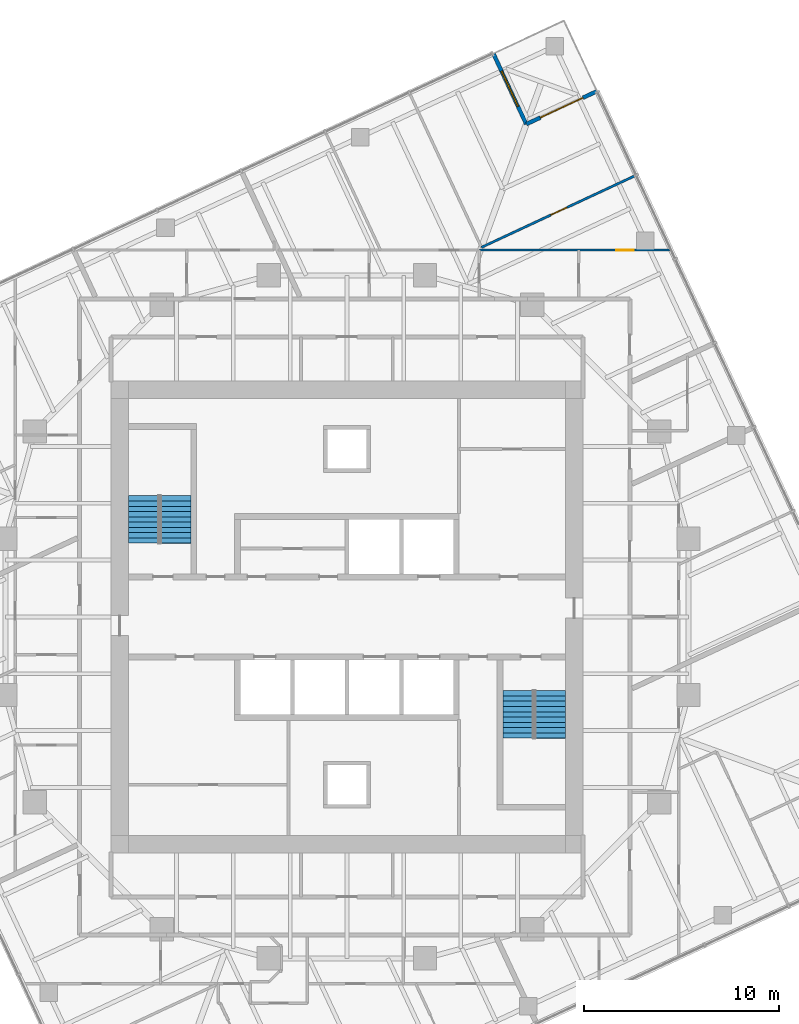
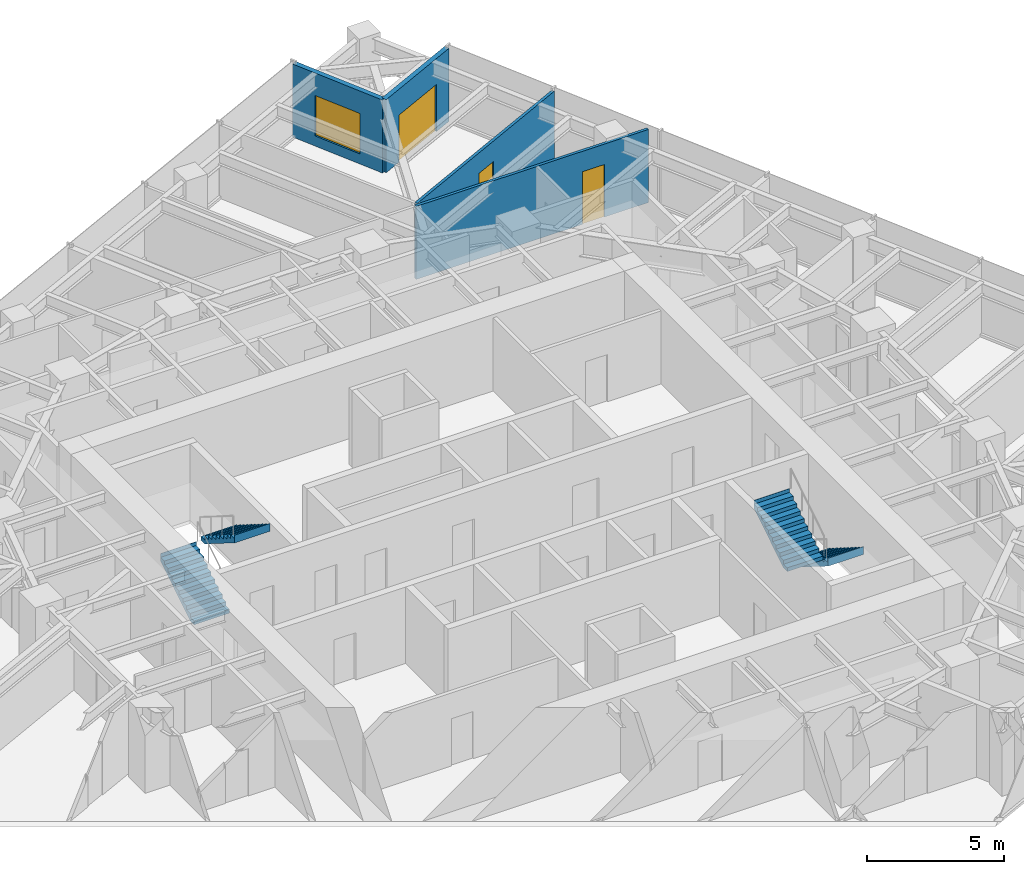
# One storey, part 12 of 13: 4 stair flights, 4 walls, 3 doors, 1 window, 4 openings, 2 elements without a shape of their own.
"""IFC4 building model written with IfcOpenShell, lengths in metres."""

from ifc_helpers import new_model, si_unit, direction, frame, frame_2d, origin, place, context, subcontext, project, spatial, polyline, rectangle, outline, extrude, material, layer, layer_set, type_object, element, fill, aggregate, save


model = new_model("IFC4")

# Units and contexts
model_context = context("Model", 3, precision=1e-05, world=origin(), true_north=direction((0.0, 1.0)))
body_context = subcontext(model_context, "Body", "Model", "MODEL_VIEW")
ifc_project = project(units=[si_unit("LENGTHUNIT", "METRE"), si_unit("AREAUNIT", "SQUARE_METRE"), si_unit("VOLUMEUNIT", "CUBIC_METRE"), si_unit("PLANEANGLEUNIT", "RADIAN"), si_unit("MASSUNIT", "GRAM", prefix="KILO")], contexts=[model_context])

# Site, building, storey
site_placement = place(None, origin())
site = spatial("IfcSite", under=ifc_project, at=site_placement, CompositionType="ELEMENT")
building_placement = place(site_placement, origin())
building = spatial("IfcBuilding", under=site, at=building_placement, Name="Torsade Residences", CompositionType="ELEMENT")
storey_placement = place(building_placement, frame((0.0, 0.0, 179.39990234375)))
storey = spatial("IfcBuildingStorey", under=building, at=storey_placement, Name="L49", CompositionType="ELEMENT", Elevation=179.39990234375)

# Wall, opening, door
ifc_material_1 = material(Name="Plasterboard on steel stud", Category="steel")
ifc_layer_1 = layer(ifc_material_1, 0.1201171875)
ifc_layer_set_1 = layer_set([ifc_layer_1], Name="Plasterboard on steel stud")
wall_type_1 = type_object("IfcWallType", Name="PARTITION 120", PredefinedType="PARTITIONING", material=ifc_layer_set_1)
wall_1_placement = place(storey_placement, frame((46.782958984375, 48.800048828125, 0.0), z_axis=(0.0, 0.0, 1.0), x_axis=(1.0, 0.0, 0.0)))
wall_1 = element("IfcWall", 1, at=wall_1_placement, inside=storey, type_object=wall_type_1, Name="Partition L49", PredefinedType="PARTITIONING", context=body_context, shape_type="SweptSolid", body=[
    extrude(rectangle(XDim=9.783935546875, YDim=0.1201171875, at=frame_2d((4.89208984375, 0.0))), origin(), (0.0, 0.0, 1.0), 3.25),
])
opening_1_placement = place(wall_1_placement, frame((7.005859375, 0.0, 0.0)))
opening_1 = element("IfcOpeningElement", 2, at=opening_1_placement, cuts=wall_1, Name="Opening D02", PredefinedType="OPENING", context=body_context, shape_type="SweptSolid", body=[
    extrude(rectangle(XDim=0.919921875, YDim=2.340087890625, at=frame_2d((0.4599609375, 1.169921875))), frame((0.0, 0.070068359375, 0.0), z_axis=(0.0, -1.0, 0.0), x_axis=(1.0, 0.0, 0.0)), (0.0, 0.0, 1.0), 0.14013671875),
])
ifc_material_2 = material(Name="Hollow-core timber door", Category="wood")
door_type_1 = type_object("IfcDoorType", Name="INTERNAL DOOR 920x2340", OperationType="NOTDEFINED", PredefinedType="DOOR", material=ifc_material_2)
door_1_placement = place(opening_1_placement, origin())
door_1 = element("IfcDoor", 3, at=door_1_placement, inside=storey, type_object=door_type_1, Name="Door Kitchen and dining to Bedroom 3", OperationType="SINGLE_SWING_RIGHT", OverallHeight=2.340087890625, OverallWidth=0.919921875, PredefinedType="DOOR", context=body_context, shape_type="SweptSolid", body=[
    extrude(rectangle(XDim=0.919921875, YDim=2.340087890625, at=frame_2d((0.4599609375, 1.169921875))), frame((0.0, 0.02490234375, 0.0), z_axis=(0.0, -1.0, 0.0), x_axis=(1.0, 0.0, 0.0)), (0.0, 0.0, 1.0), 0.050048828125),
])
fill(opening_1, door_1)

wall_2_placement = place(storey_placement, frame((54.78662109375, 52.6181640625, 0.0), z_axis=(0.0, 0.0, 1.0), x_axis=(-0.906314140712, -0.422604635972, 0.0)))
wall_2 = element("IfcWall", 4, at=wall_2_placement, inside=storey, type_object=wall_type_1, Name="Partition L49", PredefinedType="PARTITIONING", context=body_context, shape_type="SweptSolid", body=[
    extrude(rectangle(XDim=8.7099609375, YDim=0.1201171875, at=frame_2d((4.35498046875, 0.0))), origin(), (0.0, 0.0, 1.0), 3.25),
])
opening_2_placement = place(wall_2_placement, frame((3.875, 0.0, 0.0)))
opening_2 = element("IfcOpeningElement", 5, at=opening_2_placement, cuts=wall_2, Name="Opening D02", PredefinedType="OPENING", context=body_context, shape_type="SweptSolid", body=[
    extrude(rectangle(XDim=0.919921875, YDim=2.340087890625, at=frame_2d((0.4599609375, 1.169921875))), frame((0.0, 0.070068359375, 0.0), z_axis=(0.0, -1.0, 0.0), x_axis=(1.0, 0.0, 0.0)), (0.0, 0.0, 1.0), 0.14013671875),
])
door_2_placement = place(opening_2_placement, origin())
door_2 = element("IfcDoor", 6, at=door_2_placement, inside=storey, type_object=door_type_1, Name="Door Bedroom 3 to Living room", OperationType="SINGLE_SWING_RIGHT", OverallHeight=2.340087890625, OverallWidth=0.919921875, PredefinedType="DOOR", context=body_context, shape_type="SweptSolid", body=[
    extrude(rectangle(XDim=0.919921875, YDim=2.340087890625, at=frame_2d((0.4599609375, 1.169921875))), frame((0.0, 0.02490234375, 0.0), z_axis=(0.0, -1.0, 0.0), x_axis=(1.0, 0.0, 0.0)), (0.0, 0.0, 1.0), 0.050048828125),
])
fill(opening_2, door_2)

ifc_material_3 = material(Name="Stone-faced precast concrete 40 MPa panel", Category="masonry")
ifc_layer_2 = layer(ifc_material_3, 0.199951171875)
ifc_layer_set_2 = layer_set([ifc_layer_2], Name="Stone-faced precast concrete 40 MPa panel")
wall_type_2 = type_object("IfcWallType", Name="TERRACE WALL 200", PredefinedType="SOLIDWALL", material=ifc_layer_set_2)
wall_3_placement = place(storey_placement, frame((52.8154296875, 56.940185546875, 0.0), z_axis=(0.0, 0.0, 1.0), x_axis=(-0.906289140828, -0.422658246362, 0.0)))
wall_3 = element("IfcWall", 7, at=wall_3_placement, inside=storey, type_object=wall_type_2, Name="Terrace wall L49 5", PredefinedType="SOLIDWALL", context=body_context, shape_type="SweptSolid", body=[
    extrude(rectangle(XDim=4.0, YDim=0.199951171875, at=frame_2d((2.0, 0.0))), origin(), (0.0, 0.0, 1.0), 3.25),
])
opening_3_placement = place(wall_3_placement, frame((0.800048828125, 0.0, 0.0)))
opening_3 = element("IfcOpeningElement", 8, at=opening_3_placement, cuts=wall_3, Name="Opening D10A", PredefinedType="OPENING", context=body_context, shape_type="SweptSolid", body=[
    extrude(rectangle(XDim=2.39990234375, YDim=2.10009765625, at=frame_2d((1.199951171875, 1.050048828125))), frame((0.0, 0.10986328125, 0.0), z_axis=(0.0, -1.0, 0.0), x_axis=(1.0, 0.0, 0.0)), (0.0, 0.0, 1.0), 0.219970703125),
])
ifc_material_4 = material(Name="Aluminium-framed glass door", Category="aluminium")
door_type_2 = type_object("IfcDoorType", Name="TERRACE SLIDING DOOR 2400x2100", OperationType="SLIDING_TO_LEFT", PredefinedType="DOOR", material=ifc_material_4)
door_3_placement = place(opening_3_placement, origin())
door_3 = element("IfcDoor", 9, at=door_3_placement, inside=storey, type_object=door_type_2, Name="Terrace door L49 5", OperationType="SLIDING_TO_LEFT", OverallHeight=2.10009765625, OverallWidth=2.39990234375, PredefinedType="DOOR", context=body_context, shape_type="SweptSolid", body=[
    extrude(rectangle(XDim=2.39990234375, YDim=2.10009765625, at=frame_2d((1.199951171875, 1.050048828125))), frame((0.0, 0.02490234375, 0.0), z_axis=(0.0, -1.0, 0.0), x_axis=(1.0, 0.0, 0.0)), (0.0, 0.0, 1.0), 0.050048828125),
])
fill(opening_3, door_3)

# Wall, opening, window
wall_4_placement = place(storey_placement, frame((49.190185546875, 55.24951171875, 0.0), z_axis=(0.0, 0.0, 1.0), x_axis=(-0.422658246362, 0.906289140828, 0.0)))
wall_4 = element("IfcWall", 10, at=wall_4_placement, inside=storey, type_object=wall_type_2, Name="Terrace wall L49 6", PredefinedType="SOLIDWALL", context=body_context, shape_type="SweptSolid", body=[
    extrude(rectangle(XDim=4.0, YDim=0.199951171875, at=frame_2d((2.0, 0.0))), origin(), (0.0, 0.0, 1.0), 3.25),
])
opening_4_placement = place(wall_4_placement, frame((1.0, 0.0, 0.449951171875)))
opening_4 = element("IfcOpeningElement", 11, at=opening_4_placement, cuts=wall_4, Name="Opening W1B", PredefinedType="OPENING", context=body_context, shape_type="SweptSolid", body=[
    extrude(rectangle(XDim=2.0, YDim=1.800048828125, at=frame_2d((1.0, 0.89990234375))), frame((0.0, 0.10986328125, 0.0), z_axis=(0.0, -1.0, 0.0), x_axis=(1.0, 0.0, 0.0)), (0.0, 0.0, 1.0), 0.219970703125),
])
ifc_material_5 = material(Name="Aluminium-framed glass window", Category="aluminium")
window_type = type_object("IfcWindowType", Name="TERRACE WINDOW 2000x1800", PartitioningType="SINGLE_PANEL", PredefinedType="WINDOW", material=ifc_material_5)
window_placement = place(opening_4_placement, origin())
window = element("IfcWindow", 12, at=window_placement, inside=storey, type_object=window_type, Name="Terrace window L49 6", OverallHeight=1.800048828125, OverallWidth=2.0, PartitioningType="SINGLE_PANEL", PredefinedType="WINDOW", context=body_context, shape_type="SweptSolid", body=[
    extrude(rectangle(XDim=2.0, YDim=1.800048828125, at=frame_2d((1.0, 0.89990234375))), frame((0.0, 0.030029296875, 0.0), z_axis=(0.0, -1.0, 0.0), x_axis=(1.0, 0.0, 0.0)), (0.0, 0.0, 1.0), 0.06005859375),
])
fill(opening_4, window)

# Stair, stair flights
ifc_material_6 = material(Name="Precast concrete 40 MPa", Category="concrete")
stair_type = type_object("IfcStairType", Name="HALF-TURN FIRE STAIR 1500x3400", PredefinedType="HALF_TURN_STAIR", material=ifc_material_6)
stair_1_placement = place(storey_placement, origin())
stair_1 = element("IfcStair", 13, at=stair_1_placement, inside=storey, type_object=stair_type, Name="Stair ST1 L49", PredefinedType="HALF_TURN_STAIR")
ifc_material_7 = material(Name="Precast concrete 40 MPa", Category="concrete")
stair_flight_type = type_object("IfcStairFlightType", Name="PRECAST STAIR FLIGHT 1500x1700", PredefinedType="STRAIGHT", material=ifc_material_7)
stair_flight_1_placement = place(storey_placement, frame((29.550048828125, 33.780029296875, 0.0), z_axis=(0.0, 0.0, 1.0), x_axis=(0.0, 1.0, 0.0)))
stair_flight_1 = element("IfcStairFlight", 14, at=stair_flight_1_placement, type_object=stair_flight_type, Name="ST1 flight 1", NumberOfRisers=10, NumberOfTreads=9, PredefinedType="STRAIGHT", RiserHeight=0.17, TreadLength=0.27, context=body_context, shape_type="SweptSolid", body=[
    extrude(outline(polyline([(0.0, 0.0), (0.0, 0.169921875), (0.27001953125, 0.169921875), (0.27001953125, 0.340087890625), (0.5400390625, 0.340087890625), (0.5400390625, 0.510009765625), (0.81005859375, 0.510009765625), (0.81005859375, 0.679931640625), (1.080078125, 0.679931640625), (1.080078125, 0.85009765625), (1.35009765625, 0.85009765625), (1.35009765625, 1.02001953125), (1.6201171875, 1.02001953125), (1.6201171875, 1.18994140625), (1.889892578125, 1.18994140625), (1.889892578125, 1.360107421875), (2.159912109375, 1.360107421875), (2.159912109375, 1.530029296875), (2.429931640625, 1.530029296875), (2.429931640625, 1.699951171875), (2.43994140625, 1.699951171875), (2.43994140625, 1.352783203125), (2.429931640625, 1.352783203125), (0.28125, 0.0), (0.0, 0.0)])), frame((0.0, 0.75, 0.0), z_axis=(0.0, -1.0, 0.0), x_axis=(1.0, 0.0, 0.0)), (0.0, 0.0, 1.0), 1.5),
])
stair_flight_2_placement = place(storey_placement, frame((31.25, 36.2099609375, 1.7001953125), z_axis=(0.0, 0.0, 1.0), x_axis=(0.0, -1.0, 0.0)))
stair_flight_2 = element("IfcStairFlight", 15, at=stair_flight_2_placement, type_object=stair_flight_type, Name="ST1 flight 2", NumberOfRisers=10, NumberOfTreads=9, PredefinedType="STRAIGHT", RiserHeight=0.17, TreadLength=0.27, context=body_context, shape_type="SweptSolid", body=[
    extrude(outline(polyline([(0.0, 0.0), (0.0, 0.169921875), (0.27001953125, 0.169921875), (0.27001953125, 0.340087890625), (0.5400390625, 0.340087890625), (0.5400390625, 0.510009765625), (0.81005859375, 0.510009765625), (0.81005859375, 0.679931640625), (1.080078125, 0.679931640625), (1.080078125, 0.85009765625), (1.35009765625, 0.85009765625), (1.35009765625, 1.02001953125), (1.6201171875, 1.02001953125), (1.6201171875, 1.18994140625), (1.889892578125, 1.18994140625), (1.889892578125, 1.360107421875), (2.159912109375, 1.360107421875), (2.159912109375, 1.530029296875), (2.429931640625, 1.530029296875), (2.429931640625, 1.699951171875), (2.43994140625, 1.699951171875), (2.43994140625, 1.352783203125), (2.429931640625, 1.352783203125), (0.28125, 0.0), (0.0, 0.0)])), frame((0.0, 0.75, 0.0), z_axis=(0.0, -1.0, 0.0), x_axis=(1.0, 0.0, 0.0)), (0.0, 0.0, 1.0), 1.5),
])
aggregate(stair_1, [stair_flight_1, stair_flight_2])

stair_2_placement = place(storey_placement, origin())
stair_2 = element("IfcStair", 16, at=stair_2_placement, inside=storey, type_object=stair_type, Name="Stair ST2 L49", PredefinedType="HALF_TURN_STAIR")
stair_flight_3_placement = place(storey_placement, frame((50.449951171875, 26.219970703125, 0.0), z_axis=(0.0, 0.0, 1.0), x_axis=(0.0, -1.0, 0.0)))
stair_flight_3 = element("IfcStairFlight", 17, at=stair_flight_3_placement, type_object=stair_flight_type, Name="ST2 flight 1", NumberOfRisers=10, NumberOfTreads=9, PredefinedType="STRAIGHT", RiserHeight=0.17, TreadLength=0.27, context=body_context, shape_type="SweptSolid", body=[
    extrude(outline(polyline([(0.0, 0.0), (0.0, 0.169921875), (0.27001953125, 0.169921875), (0.27001953125, 0.340087890625), (0.5400390625, 0.340087890625), (0.5400390625, 0.510009765625), (0.81005859375, 0.510009765625), (0.81005859375, 0.679931640625), (1.080078125, 0.679931640625), (1.080078125, 0.85009765625), (1.35009765625, 0.85009765625), (1.35009765625, 1.02001953125), (1.6201171875, 1.02001953125), (1.6201171875, 1.18994140625), (1.889892578125, 1.18994140625), (1.889892578125, 1.360107421875), (2.159912109375, 1.360107421875), (2.159912109375, 1.530029296875), (2.429931640625, 1.530029296875), (2.429931640625, 1.699951171875), (2.43994140625, 1.699951171875), (2.43994140625, 1.352783203125), (2.429931640625, 1.352783203125), (0.28125, 0.0), (0.0, 0.0)])), frame((0.0, 0.75, 0.0), z_axis=(0.0, -1.0, 0.0), x_axis=(1.0, 0.0, 0.0)), (0.0, 0.0, 1.0), 1.5),
])
stair_flight_4_placement = place(storey_placement, frame((48.75, 23.7900390625, 1.7001953125), z_axis=(0.0, 0.0, 1.0), x_axis=(0.0, 1.0, 0.0)))
stair_flight_4 = element("IfcStairFlight", 18, at=stair_flight_4_placement, type_object=stair_flight_type, Name="ST2 flight 2", NumberOfRisers=10, NumberOfTreads=9, PredefinedType="STRAIGHT", RiserHeight=0.17, TreadLength=0.27, context=body_context, shape_type="SweptSolid", body=[
    extrude(outline(polyline([(0.0, 0.0), (0.0, 0.169921875), (0.27001953125, 0.169921875), (0.27001953125, 0.340087890625), (0.5400390625, 0.340087890625), (0.5400390625, 0.510009765625), (0.81005859375, 0.510009765625), (0.81005859375, 0.679931640625), (1.080078125, 0.679931640625), (1.080078125, 0.85009765625), (1.35009765625, 0.85009765625), (1.35009765625, 1.02001953125), (1.6201171875, 1.02001953125), (1.6201171875, 1.18994140625), (1.889892578125, 1.18994140625), (1.889892578125, 1.360107421875), (2.159912109375, 1.360107421875), (2.159912109375, 1.530029296875), (2.429931640625, 1.530029296875), (2.429931640625, 1.699951171875), (2.43994140625, 1.699951171875), (2.43994140625, 1.352783203125), (2.429931640625, 1.352783203125), (0.28125, 0.0), (0.0, 0.0)])), frame((0.0, 0.75, 0.0), z_axis=(0.0, -1.0, 0.0), x_axis=(1.0, 0.0, 0.0)), (0.0, 0.0, 1.0), 1.5),
])
aggregate(stair_2, [stair_flight_3, stair_flight_4])

save(model, "model.ifc")
